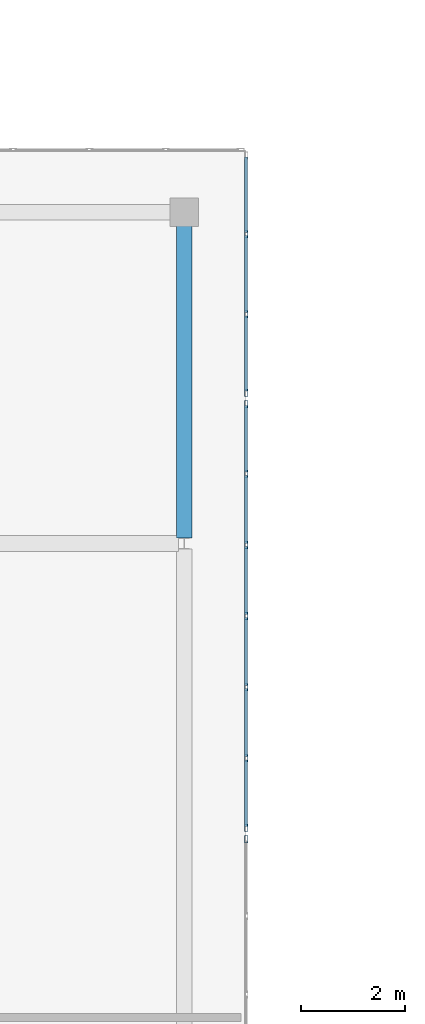
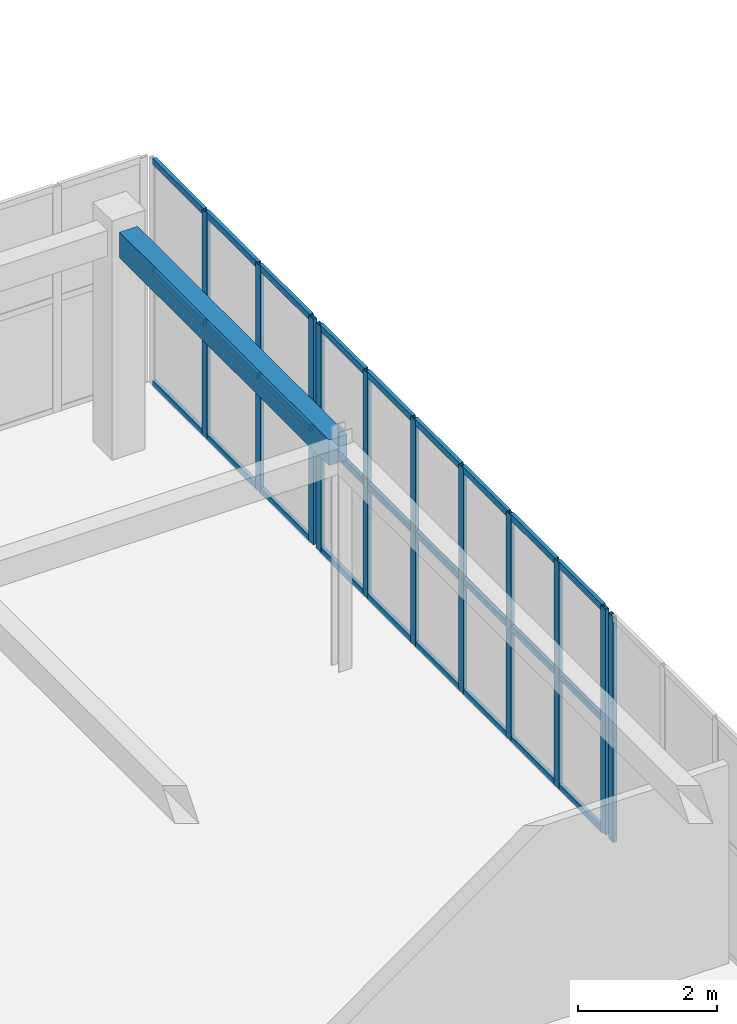
# One storey, part 75 of 140: 38 members, 1 beam, 3 elements without a shape of their own.
"""IFC4 building model written with IfcOpenShell, lengths in metres."""

from ifc_helpers import new_model, si_unit, direction, frame, origin, origin_2d, place, context, subcontext, project, spatial, rectangle, hollow_rectangle, extrude, material, layer, layer_set, material_profile, profile_set, type_object, element, aggregate, save


model = new_model("IFC4")

# Units and contexts
model_context = context("Model", 3, precision=1e-05, world=origin(), true_north=direction((0.0, 1.0)))
body_context = subcontext(model_context, "Body", "Model", "MODEL_VIEW")
ifc_project = project(units=[si_unit("LENGTHUNIT", "METRE"), si_unit("AREAUNIT", "SQUARE_METRE"), si_unit("VOLUMEUNIT", "CUBIC_METRE"), si_unit("PLANEANGLEUNIT", "RADIAN"), si_unit("MASSUNIT", "GRAM", prefix="KILO")], contexts=[model_context])

# Site, building, storey
site_placement = place(None, origin())
site = spatial("IfcSite", under=ifc_project, at=site_placement, CompositionType="ELEMENT")
building_placement = place(site_placement, origin())
building = spatial("IfcBuilding", under=site, at=building_placement, Name="Trelvath General Hospital", CompositionType="ELEMENT")
storey_placement = place(building_placement, frame((0.0, 0.0, 16.199951171875)))
storey = spatial("IfcBuildingStorey", under=building, at=storey_placement, Name="L04", CompositionType="ELEMENT", Elevation=16.199951171875)

# Beam
ifc_material_1 = material(Name="Concrete C35/45", Category="concrete")
ifc_material_profile_1 = material_profile(ifc_material_1, rectangle(XDim=0.300048828125, YDim=0.449951171875, at=origin_2d()), Name="RCB300x450")
ifc_profile_set_1 = profile_set([ifc_material_profile_1], Name="Concrete C35/45")
beam_type = type_object("IfcBeamType", Name="Beam RC300x450", PredefinedType="BEAM", material=ifc_profile_set_1)
beam_placement = place(storey_placement, frame((113.60009765625, 72.906005859375, 3.735107421875), z_axis=(0.0, 1.0, 0.0), x_axis=(-1.0, 0.0, 0.0)))
element("IfcBeam", 1, at=beam_placement, inside=storey, type_object=beam_type, Name="Cube Interior Ring Beam CUBE-E-T1 L04", PredefinedType="BEAM", context=body_context, shape_type="SweptSolid", body=[
    extrude(rectangle(XDim=0.300048828125, YDim=0.449951171875, at=origin_2d()), origin(), (0.0, 0.0, 1.0), 6.02294921875),
])

# Curtain wall, member
ifc_material_2 = material(Name="Anodised aluminium and low-E glass", Category="aluminium")
ifc_layer_1 = layer(ifc_material_2, 0.139892578125)
ifc_layer_set_1 = layer_set([ifc_layer_1], Name="Anodised aluminium and low-E glass")
curtain_wall_type_1 = type_object("IfcCurtainWallType", Name="CW CrystalCube 1664 396 14", PredefinedType="USERDEFINED", material=ifc_layer_set_1)
curtain_wall_1_placement = place(storey_placement, origin())
curtain_wall_1 = element("IfcCurtainWall", 2, at=curtain_wall_1_placement, inside=storey, type_object=curtain_wall_type_1, Name="Crystal Cube Curtain Wall CUBE-E-T1 E3 L04", ObjectType="Unitised Glazed Curtain Wall", PredefinedType="USERDEFINED")
ifc_material_3 = material(Name="Anodised aluminium", Category="aluminium")
ifc_material_profile_2 = material_profile(ifc_material_3, hollow_rectangle(XDim=0.06005859375, YDim=0.139892578125, WallThickness=0.00390625, at=origin_2d()), Name="RHS60x140x4")
ifc_profile_set_2 = profile_set([ifc_material_profile_2], Name="Anodised aluminium")
member_type_1 = type_object("IfcMemberType", Name="CurtainMullion 60x140", PredefinedType="MULLION", material=ifc_profile_set_2)
member_1_placement = place(storey_placement, frame((114.800048828125, 67.090087890625, 0.0), z_axis=(0.0, 0.0, 1.0), x_axis=(1.0, 0.0, 0.0)))
member_1 = element("IfcMember", 3, at=member_1_placement, type_object=member_type_1, Name="CW-291 mullion 1", PredefinedType="MULLION", context=body_context, shape_type="SweptSolid", body=[
    extrude(hollow_rectangle(XDim=0.06005859375, YDim=0.139892578125, WallThickness=0.00390625, at=origin_2d()), origin(), (0.0, 0.0, 1.0), 3.9599609375),
])
aggregate(curtain_wall_1, [member_1])

# Curtain wall, members
ifc_material_4 = material(Name="Anodised aluminium and low-E glass", Category="aluminium")
ifc_layer_2 = layer(ifc_material_4, 0.139892578125)
ifc_layer_set_2 = layer_set([ifc_layer_2], Name="Anodised aluminium and low-E glass")
curtain_wall_type_2 = type_object("IfcCurtainWallType", Name="CW CrystalCube 824 396 14", PredefinedType="USERDEFINED", material=ifc_layer_set_2)
curtain_wall_2_placement = place(storey_placement, origin())
curtain_wall_2 = element("IfcCurtainWall", 4, at=curtain_wall_2_placement, inside=storey, type_object=curtain_wall_type_2, Name="Crystal Cube Curtain Wall CUBE-E-T1 E4 L04", ObjectType="Unitised Glazed Curtain Wall", PredefinedType="USERDEFINED")
member_2_placement = place(storey_placement, frame((114.800048828125, 75.489990234375, 0.0), z_axis=(0.0, 0.0, 1.0), x_axis=(1.0, 0.0, 0.0)))
member_2 = element("IfcMember", 5, at=member_2_placement, type_object=member_type_1, Name="CW-292 mullion 1", PredefinedType="MULLION", context=body_context, shape_type="SweptSolid", body=[
    extrude(hollow_rectangle(XDim=0.06005859375, YDim=0.139892578125, WallThickness=0.00390625, at=origin_2d()), origin(), (0.0, 0.0, 1.0), 3.9599609375),
])
member_3_placement = place(storey_placement, frame((114.800048828125, 74.146728515625, 0.0), z_axis=(0.0, 0.0, 1.0), x_axis=(1.0, 0.0, 0.0)))
member_3 = element("IfcMember", 6, at=member_3_placement, type_object=member_type_1, Name="CW-292 mullion 2", PredefinedType="MULLION", context=body_context, shape_type="SweptSolid", body=[
    extrude(hollow_rectangle(XDim=0.06005859375, YDim=0.139892578125, WallThickness=0.00390625, at=origin_2d()), origin(), (0.0, 0.0, 1.0), 3.9599609375),
])
member_4_placement = place(storey_placement, frame((114.800048828125, 72.7734375, 0.0), z_axis=(0.0, 0.0, 1.0), x_axis=(1.0, 0.0, 0.0)))
member_4 = element("IfcMember", 7, at=member_4_placement, type_object=member_type_1, Name="CW-292 mullion 3", PredefinedType="MULLION", context=body_context, shape_type="SweptSolid", body=[
    extrude(hollow_rectangle(XDim=0.06005859375, YDim=0.139892578125, WallThickness=0.00390625, at=origin_2d()), origin(), (0.0, 0.0, 1.0), 3.9599609375),
])
member_5_placement = place(storey_placement, frame((114.800048828125, 71.39990234375, 0.0), z_axis=(0.0, 0.0, 1.0), x_axis=(1.0, 0.0, 0.0)))
member_5 = element("IfcMember", 8, at=member_5_placement, type_object=member_type_1, Name="CW-292 mullion 4", PredefinedType="MULLION", context=body_context, shape_type="SweptSolid", body=[
    extrude(hollow_rectangle(XDim=0.06005859375, YDim=0.139892578125, WallThickness=0.00390625, at=origin_2d()), origin(), (0.0, 0.0, 1.0), 3.9599609375),
])
member_6_placement = place(storey_placement, frame((114.800048828125, 70.026611328125, 0.0), z_axis=(0.0, 0.0, 1.0), x_axis=(1.0, 0.0, 0.0)))
member_6 = element("IfcMember", 9, at=member_6_placement, type_object=member_type_1, Name="CW-292 mullion 5", PredefinedType="MULLION", context=body_context, shape_type="SweptSolid", body=[
    extrude(hollow_rectangle(XDim=0.06005859375, YDim=0.139892578125, WallThickness=0.00390625, at=origin_2d()), origin(), (0.0, 0.0, 1.0), 3.9599609375),
])
member_7_placement = place(storey_placement, frame((114.800048828125, 68.6533203125, 0.0), z_axis=(0.0, 0.0, 1.0), x_axis=(1.0, 0.0, 0.0)))
member_7 = element("IfcMember", 10, at=member_7_placement, type_object=member_type_1, Name="CW-292 mullion 6", PredefinedType="MULLION", context=body_context, shape_type="SweptSolid", body=[
    extrude(hollow_rectangle(XDim=0.06005859375, YDim=0.139892578125, WallThickness=0.00390625, at=origin_2d()), origin(), (0.0, 0.0, 1.0), 3.9599609375),
])
member_8_placement = place(storey_placement, frame((114.800048828125, 67.31005859375, 0.0), z_axis=(0.0, 0.0, 1.0), x_axis=(1.0, 0.0, 0.0)))
member_8 = element("IfcMember", 11, at=member_8_placement, type_object=member_type_1, Name="CW-292 mullion 7", PredefinedType="MULLION", context=body_context, shape_type="SweptSolid", body=[
    extrude(hollow_rectangle(XDim=0.06005859375, YDim=0.139892578125, WallThickness=0.00390625, at=origin_2d()), origin(), (0.0, 0.0, 1.0), 3.9599609375),
])

ifc_material_5 = material(Name="Anodised aluminium and low-E glass", Category="aluminium")
ifc_layer_3 = layer(ifc_material_5, 0.139892578125)
ifc_layer_set_3 = layer_set([ifc_layer_3], Name="Anodised aluminium and low-E glass")
curtain_wall_type_3 = type_object("IfcCurtainWallType", Name="CW CrystalCube 464 396 14", PredefinedType="USERDEFINED", material=ifc_layer_set_3)
curtain_wall_3_placement = place(storey_placement, origin())
curtain_wall_3 = element("IfcCurtainWall", 12, at=curtain_wall_3_placement, inside=storey, type_object=curtain_wall_type_3, Name="Crystal Cube Curtain Wall CUBE-E-T1 E5 L04", ObjectType="Unitised Glazed Curtain Wall", PredefinedType="USERDEFINED")
member_9_placement = place(storey_placement, frame((114.800048828125, 78.7734375, 0.0), z_axis=(0.0, 0.0, 1.0), x_axis=(1.0, 0.0, 0.0)))
member_9 = element("IfcMember", 13, at=member_9_placement, type_object=member_type_1, Name="CW-294 mullion 2", PredefinedType="MULLION", context=body_context, shape_type="SweptSolid", body=[
    extrude(hollow_rectangle(XDim=0.06005859375, YDim=0.139892578125, WallThickness=0.00390625, at=origin_2d()), origin(), (0.0, 0.0, 1.0), 3.9599609375),
])
member_10_placement = place(storey_placement, frame((114.800048828125, 77.2265625, 0.0), z_axis=(0.0, 0.0, 1.0), x_axis=(1.0, 0.0, 0.0)))
member_10 = element("IfcMember", 14, at=member_10_placement, type_object=member_type_1, Name="CW-294 mullion 3", PredefinedType="MULLION", context=body_context, shape_type="SweptSolid", body=[
    extrude(hollow_rectangle(XDim=0.06005859375, YDim=0.139892578125, WallThickness=0.00390625, at=origin_2d()), origin(), (0.0, 0.0, 1.0), 3.9599609375),
])
member_11_placement = place(storey_placement, frame((114.800048828125, 75.7099609375, 0.0), z_axis=(0.0, 0.0, 1.0), x_axis=(1.0, 0.0, 0.0)))
member_11 = element("IfcMember", 15, at=member_11_placement, type_object=member_type_1, Name="CW-294 mullion 4", PredefinedType="MULLION", context=body_context, shape_type="SweptSolid", body=[
    extrude(hollow_rectangle(XDim=0.06005859375, YDim=0.139892578125, WallThickness=0.00390625, at=origin_2d()), origin(), (0.0, 0.0, 1.0), 3.9599609375),
])

# Member
ifc_material_6 = material(Name="Anodised aluminium", Category="aluminium")
ifc_material_profile_3 = material_profile(ifc_material_6, hollow_rectangle(XDim=0.06005859375, YDim=0.110107421875, WallThickness=0.00390625, at=origin_2d()), Name="RHS60x110x4")
ifc_profile_set_3 = profile_set([ifc_material_profile_3], Name="Anodised aluminium")
member_type_2 = type_object("IfcMemberType", Name="CurtainTransom 60x110", PredefinedType="USERDEFINED", material=ifc_profile_set_3)
member_12_placement = place(storey_placement, frame((114.800048828125, 75.4599609375, 0.030029296875), z_axis=(0.0, -1.0, 0.0), x_axis=(1.0, 0.0, 0.0)))
member_12 = element("IfcMember", 16, at=member_12_placement, type_object=member_type_2, Name="CW-292 transom 1.1", ObjectType="TRANSOM", PredefinedType="USERDEFINED", context=body_context, shape_type="SweptSolid", body=[
    extrude(hollow_rectangle(XDim=0.06005859375, YDim=0.110107421875, WallThickness=0.00390625, at=origin_2d()), origin(), (0.0, 0.0, 1.0), 1.283203125),
])

member_13_placement = place(storey_placement, frame((114.800048828125, 75.4599609375, 1.97998046875), z_axis=(0.0, -1.0, 0.0), x_axis=(1.0, 0.0, 0.0)))
member_13 = element("IfcMember", 17, at=member_13_placement, type_object=member_type_2, Name="CW-292 transom 1.2", ObjectType="TRANSOM", PredefinedType="USERDEFINED", context=body_context, shape_type="SweptSolid", body=[
    extrude(hollow_rectangle(XDim=0.06005859375, YDim=0.110107421875, WallThickness=0.00390625, at=origin_2d()), origin(), (0.0, 0.0, 1.0), 1.283203125),
])

member_14_placement = place(storey_placement, frame((114.800048828125, 75.4599609375, 3.929931640625), z_axis=(0.0, -1.0, 0.0), x_axis=(1.0, 0.0, 0.0)))
member_14 = element("IfcMember", 18, at=member_14_placement, type_object=member_type_2, Name="CW-292 transom 1.3", ObjectType="TRANSOM", PredefinedType="USERDEFINED", context=body_context, shape_type="SweptSolid", body=[
    extrude(hollow_rectangle(XDim=0.06005859375, YDim=0.110107421875, WallThickness=0.00390625, at=origin_2d()), origin(), (0.0, 0.0, 1.0), 1.283203125),
])

member_15_placement = place(storey_placement, frame((114.800048828125, 74.11669921875, 0.030029296875), z_axis=(0.0, -1.0, 0.0), x_axis=(1.0, 0.0, 0.0)))
member_15 = element("IfcMember", 19, at=member_15_placement, type_object=member_type_2, Name="CW-292 transom 2.1", ObjectType="TRANSOM", PredefinedType="USERDEFINED", context=body_context, shape_type="SweptSolid", body=[
    extrude(hollow_rectangle(XDim=0.06005859375, YDim=0.110107421875, WallThickness=0.00390625, at=origin_2d()), origin(), (0.0, 0.0, 1.0), 1.3134765625),
])

member_16_placement = place(storey_placement, frame((114.800048828125, 74.11669921875, 1.97998046875), z_axis=(0.0, -1.0, 0.0), x_axis=(1.0, 0.0, 0.0)))
member_16 = element("IfcMember", 20, at=member_16_placement, type_object=member_type_2, Name="CW-292 transom 2.2", ObjectType="TRANSOM", PredefinedType="USERDEFINED", context=body_context, shape_type="SweptSolid", body=[
    extrude(hollow_rectangle(XDim=0.06005859375, YDim=0.110107421875, WallThickness=0.00390625, at=origin_2d()), origin(), (0.0, 0.0, 1.0), 1.3134765625),
])

member_17_placement = place(storey_placement, frame((114.800048828125, 74.11669921875, 3.929931640625), z_axis=(0.0, -1.0, 0.0), x_axis=(1.0, 0.0, 0.0)))
member_17 = element("IfcMember", 21, at=member_17_placement, type_object=member_type_2, Name="CW-292 transom 2.3", ObjectType="TRANSOM", PredefinedType="USERDEFINED", context=body_context, shape_type="SweptSolid", body=[
    extrude(hollow_rectangle(XDim=0.06005859375, YDim=0.110107421875, WallThickness=0.00390625, at=origin_2d()), origin(), (0.0, 0.0, 1.0), 1.3134765625),
])

member_18_placement = place(storey_placement, frame((114.800048828125, 72.743408203125, 0.030029296875), z_axis=(0.0, -1.0, 0.0), x_axis=(1.0, 0.0, 0.0)))
member_18 = element("IfcMember", 22, at=member_18_placement, type_object=member_type_2, Name="CW-292 transom 3.1", ObjectType="TRANSOM", PredefinedType="USERDEFINED", context=body_context, shape_type="SweptSolid", body=[
    extrude(hollow_rectangle(XDim=0.06005859375, YDim=0.110107421875, WallThickness=0.00390625, at=origin_2d()), origin(), (0.0, 0.0, 1.0), 1.3134765625),
])

member_19_placement = place(storey_placement, frame((114.800048828125, 72.743408203125, 1.97998046875), z_axis=(0.0, -1.0, 0.0), x_axis=(1.0, 0.0, 0.0)))
member_19 = element("IfcMember", 23, at=member_19_placement, type_object=member_type_2, Name="CW-292 transom 3.2", ObjectType="TRANSOM", PredefinedType="USERDEFINED", context=body_context, shape_type="SweptSolid", body=[
    extrude(hollow_rectangle(XDim=0.06005859375, YDim=0.110107421875, WallThickness=0.00390625, at=origin_2d()), origin(), (0.0, 0.0, 1.0), 1.3134765625),
])

member_20_placement = place(storey_placement, frame((114.800048828125, 72.743408203125, 3.929931640625), z_axis=(0.0, -1.0, 0.0), x_axis=(1.0, 0.0, 0.0)))
member_20 = element("IfcMember", 24, at=member_20_placement, type_object=member_type_2, Name="CW-292 transom 3.3", ObjectType="TRANSOM", PredefinedType="USERDEFINED", context=body_context, shape_type="SweptSolid", body=[
    extrude(hollow_rectangle(XDim=0.06005859375, YDim=0.110107421875, WallThickness=0.00390625, at=origin_2d()), origin(), (0.0, 0.0, 1.0), 1.3134765625),
])

member_21_placement = place(storey_placement, frame((114.800048828125, 71.3701171875, 0.030029296875), z_axis=(0.0, -1.0, 0.0), x_axis=(1.0, 0.0, 0.0)))
member_21 = element("IfcMember", 25, at=member_21_placement, type_object=member_type_2, Name="CW-292 transom 4.1", ObjectType="TRANSOM", PredefinedType="USERDEFINED", context=body_context, shape_type="SweptSolid", body=[
    extrude(hollow_rectangle(XDim=0.06005859375, YDim=0.110107421875, WallThickness=0.00390625, at=origin_2d()), origin(), (0.0, 0.0, 1.0), 1.3134765625),
])

member_22_placement = place(storey_placement, frame((114.800048828125, 71.3701171875, 1.97998046875), z_axis=(0.0, -1.0, 0.0), x_axis=(1.0, 0.0, 0.0)))
member_22 = element("IfcMember", 26, at=member_22_placement, type_object=member_type_2, Name="CW-292 transom 4.2", ObjectType="TRANSOM", PredefinedType="USERDEFINED", context=body_context, shape_type="SweptSolid", body=[
    extrude(hollow_rectangle(XDim=0.06005859375, YDim=0.110107421875, WallThickness=0.00390625, at=origin_2d()), origin(), (0.0, 0.0, 1.0), 1.3134765625),
])

member_23_placement = place(storey_placement, frame((114.800048828125, 71.3701171875, 3.929931640625), z_axis=(0.0, -1.0, 0.0), x_axis=(1.0, 0.0, 0.0)))
member_23 = element("IfcMember", 27, at=member_23_placement, type_object=member_type_2, Name="CW-292 transom 4.3", ObjectType="TRANSOM", PredefinedType="USERDEFINED", context=body_context, shape_type="SweptSolid", body=[
    extrude(hollow_rectangle(XDim=0.06005859375, YDim=0.110107421875, WallThickness=0.00390625, at=origin_2d()), origin(), (0.0, 0.0, 1.0), 1.3134765625),
])

member_24_placement = place(storey_placement, frame((114.800048828125, 69.99658203125, 0.030029296875), z_axis=(0.0, -1.0, 0.0), x_axis=(1.0, 0.0, 0.0)))
member_24 = element("IfcMember", 28, at=member_24_placement, type_object=member_type_2, Name="CW-292 transom 5.1", ObjectType="TRANSOM", PredefinedType="USERDEFINED", context=body_context, shape_type="SweptSolid", body=[
    extrude(hollow_rectangle(XDim=0.06005859375, YDim=0.110107421875, WallThickness=0.00390625, at=origin_2d()), origin(), (0.0, 0.0, 1.0), 1.313232421875),
])

member_25_placement = place(storey_placement, frame((114.800048828125, 69.99658203125, 1.97998046875), z_axis=(0.0, -1.0, 0.0), x_axis=(1.0, 0.0, 0.0)))
member_25 = element("IfcMember", 29, at=member_25_placement, type_object=member_type_2, Name="CW-292 transom 5.2", ObjectType="TRANSOM", PredefinedType="USERDEFINED", context=body_context, shape_type="SweptSolid", body=[
    extrude(hollow_rectangle(XDim=0.06005859375, YDim=0.110107421875, WallThickness=0.00390625, at=origin_2d()), origin(), (0.0, 0.0, 1.0), 1.313232421875),
])

member_26_placement = place(storey_placement, frame((114.800048828125, 69.99658203125, 3.929931640625), z_axis=(0.0, -1.0, 0.0), x_axis=(1.0, 0.0, 0.0)))
member_26 = element("IfcMember", 30, at=member_26_placement, type_object=member_type_2, Name="CW-292 transom 5.3", ObjectType="TRANSOM", PredefinedType="USERDEFINED", context=body_context, shape_type="SweptSolid", body=[
    extrude(hollow_rectangle(XDim=0.06005859375, YDim=0.110107421875, WallThickness=0.00390625, at=origin_2d()), origin(), (0.0, 0.0, 1.0), 1.313232421875),
])

member_27_placement = place(storey_placement, frame((114.800048828125, 68.623291015625, 0.030029296875), z_axis=(0.0, -1.0, 0.0), x_axis=(1.0, 0.0, 0.0)))
member_27 = element("IfcMember", 31, at=member_27_placement, type_object=member_type_2, Name="CW-292 transom 6.1", ObjectType="TRANSOM", PredefinedType="USERDEFINED", context=body_context, shape_type="SweptSolid", body=[
    extrude(hollow_rectangle(XDim=0.06005859375, YDim=0.110107421875, WallThickness=0.00390625, at=origin_2d()), origin(), (0.0, 0.0, 1.0), 1.283203125),
])

member_28_placement = place(storey_placement, frame((114.800048828125, 68.623291015625, 1.97998046875), z_axis=(0.0, -1.0, 0.0), x_axis=(1.0, 0.0, 0.0)))
member_28 = element("IfcMember", 32, at=member_28_placement, type_object=member_type_2, Name="CW-292 transom 6.2", ObjectType="TRANSOM", PredefinedType="USERDEFINED", context=body_context, shape_type="SweptSolid", body=[
    extrude(hollow_rectangle(XDim=0.06005859375, YDim=0.110107421875, WallThickness=0.00390625, at=origin_2d()), origin(), (0.0, 0.0, 1.0), 1.283203125),
])

member_29_placement = place(storey_placement, frame((114.800048828125, 68.623291015625, 3.929931640625), z_axis=(0.0, -1.0, 0.0), x_axis=(1.0, 0.0, 0.0)))
member_29 = element("IfcMember", 33, at=member_29_placement, type_object=member_type_2, Name="CW-292 transom 6.3", ObjectType="TRANSOM", PredefinedType="USERDEFINED", context=body_context, shape_type="SweptSolid", body=[
    extrude(hollow_rectangle(XDim=0.06005859375, YDim=0.110107421875, WallThickness=0.00390625, at=origin_2d()), origin(), (0.0, 0.0, 1.0), 1.283203125),
])

aggregate(curtain_wall_2, [member_2, member_3, member_4, member_5, member_6, member_7, member_8, member_12, member_13, member_14, member_15, member_16, member_17, member_18, member_19, member_20, member_21, member_22, member_23, member_24, member_25, member_26, member_27, member_28, member_29])

member_30_placement = place(storey_placement, frame((114.800048828125, 80.260009765625, 0.030029296875), z_axis=(0.0, -1.0, 0.0), x_axis=(1.0, 0.0, 0.0)))
member_30 = element("IfcMember", 34, at=member_30_placement, type_object=member_type_2, Name="CW-294 transom 1.1", ObjectType="TRANSOM", PredefinedType="USERDEFINED", context=body_context, shape_type="SweptSolid", body=[
    extrude(hollow_rectangle(XDim=0.06005859375, YDim=0.110107421875, WallThickness=0.00390625, at=origin_2d()), origin(), (0.0, 0.0, 1.0), 1.456787109375),
])

member_31_placement = place(storey_placement, frame((114.800048828125, 80.260009765625, 1.97998046875), z_axis=(0.0, -1.0, 0.0), x_axis=(1.0, 0.0, 0.0)))
member_31 = element("IfcMember", 35, at=member_31_placement, type_object=member_type_2, Name="CW-294 transom 1.2", ObjectType="TRANSOM", PredefinedType="USERDEFINED", context=body_context, shape_type="SweptSolid", body=[
    extrude(hollow_rectangle(XDim=0.06005859375, YDim=0.110107421875, WallThickness=0.00390625, at=origin_2d()), origin(), (0.0, 0.0, 1.0), 1.456787109375),
])

member_32_placement = place(storey_placement, frame((114.800048828125, 80.260009765625, 3.929931640625), z_axis=(0.0, -1.0, 0.0), x_axis=(1.0, 0.0, 0.0)))
member_32 = element("IfcMember", 36, at=member_32_placement, type_object=member_type_2, Name="CW-294 transom 1.3", ObjectType="TRANSOM", PredefinedType="USERDEFINED", context=body_context, shape_type="SweptSolid", body=[
    extrude(hollow_rectangle(XDim=0.06005859375, YDim=0.110107421875, WallThickness=0.00390625, at=origin_2d()), origin(), (0.0, 0.0, 1.0), 1.456787109375),
])

member_33_placement = place(storey_placement, frame((114.800048828125, 78.743408203125, 0.030029296875), z_axis=(0.0, -1.0, 0.0), x_axis=(1.0, 0.0, 0.0)))
member_33 = element("IfcMember", 37, at=member_33_placement, type_object=member_type_2, Name="CW-294 transom 2.1", ObjectType="TRANSOM", PredefinedType="USERDEFINED", context=body_context, shape_type="SweptSolid", body=[
    extrude(hollow_rectangle(XDim=0.06005859375, YDim=0.110107421875, WallThickness=0.00390625, at=origin_2d()), origin(), (0.0, 0.0, 1.0), 1.48681640625),
])

member_34_placement = place(storey_placement, frame((114.800048828125, 78.743408203125, 1.97998046875), z_axis=(0.0, -1.0, 0.0), x_axis=(1.0, 0.0, 0.0)))
member_34 = element("IfcMember", 38, at=member_34_placement, type_object=member_type_2, Name="CW-294 transom 2.2", ObjectType="TRANSOM", PredefinedType="USERDEFINED", context=body_context, shape_type="SweptSolid", body=[
    extrude(hollow_rectangle(XDim=0.06005859375, YDim=0.110107421875, WallThickness=0.00390625, at=origin_2d()), origin(), (0.0, 0.0, 1.0), 1.48681640625),
])

member_35_placement = place(storey_placement, frame((114.800048828125, 78.743408203125, 3.929931640625), z_axis=(0.0, -1.0, 0.0), x_axis=(1.0, 0.0, 0.0)))
member_35 = element("IfcMember", 39, at=member_35_placement, type_object=member_type_2, Name="CW-294 transom 2.3", ObjectType="TRANSOM", PredefinedType="USERDEFINED", context=body_context, shape_type="SweptSolid", body=[
    extrude(hollow_rectangle(XDim=0.06005859375, YDim=0.110107421875, WallThickness=0.00390625, at=origin_2d()), origin(), (0.0, 0.0, 1.0), 1.48681640625),
])

member_36_placement = place(storey_placement, frame((114.800048828125, 77.19677734375, 0.030029296875), z_axis=(0.0, -1.0, 0.0), x_axis=(1.0, 0.0, 0.0)))
member_36 = element("IfcMember", 40, at=member_36_placement, type_object=member_type_2, Name="CW-294 transom 3.1", ObjectType="TRANSOM", PredefinedType="USERDEFINED", context=body_context, shape_type="SweptSolid", body=[
    extrude(hollow_rectangle(XDim=0.06005859375, YDim=0.110107421875, WallThickness=0.00390625, at=origin_2d()), origin(), (0.0, 0.0, 1.0), 1.456787109375),
])

member_37_placement = place(storey_placement, frame((114.800048828125, 77.19677734375, 1.97998046875), z_axis=(0.0, -1.0, 0.0), x_axis=(1.0, 0.0, 0.0)))
member_37 = element("IfcMember", 41, at=member_37_placement, type_object=member_type_2, Name="CW-294 transom 3.2", ObjectType="TRANSOM", PredefinedType="USERDEFINED", context=body_context, shape_type="SweptSolid", body=[
    extrude(hollow_rectangle(XDim=0.06005859375, YDim=0.110107421875, WallThickness=0.00390625, at=origin_2d()), origin(), (0.0, 0.0, 1.0), 1.456787109375),
])

member_38_placement = place(storey_placement, frame((114.800048828125, 77.19677734375, 3.929931640625), z_axis=(0.0, -1.0, 0.0), x_axis=(1.0, 0.0, 0.0)))
member_38 = element("IfcMember", 42, at=member_38_placement, type_object=member_type_2, Name="CW-294 transom 3.3", ObjectType="TRANSOM", PredefinedType="USERDEFINED", context=body_context, shape_type="SweptSolid", body=[
    extrude(hollow_rectangle(XDim=0.06005859375, YDim=0.110107421875, WallThickness=0.00390625, at=origin_2d()), origin(), (0.0, 0.0, 1.0), 1.456787109375),
])

aggregate(curtain_wall_3, [member_9, member_10, member_11, member_30, member_31, member_32, member_33, member_34, member_35, member_36, member_37, member_38])

save(model, "model.ifc")
